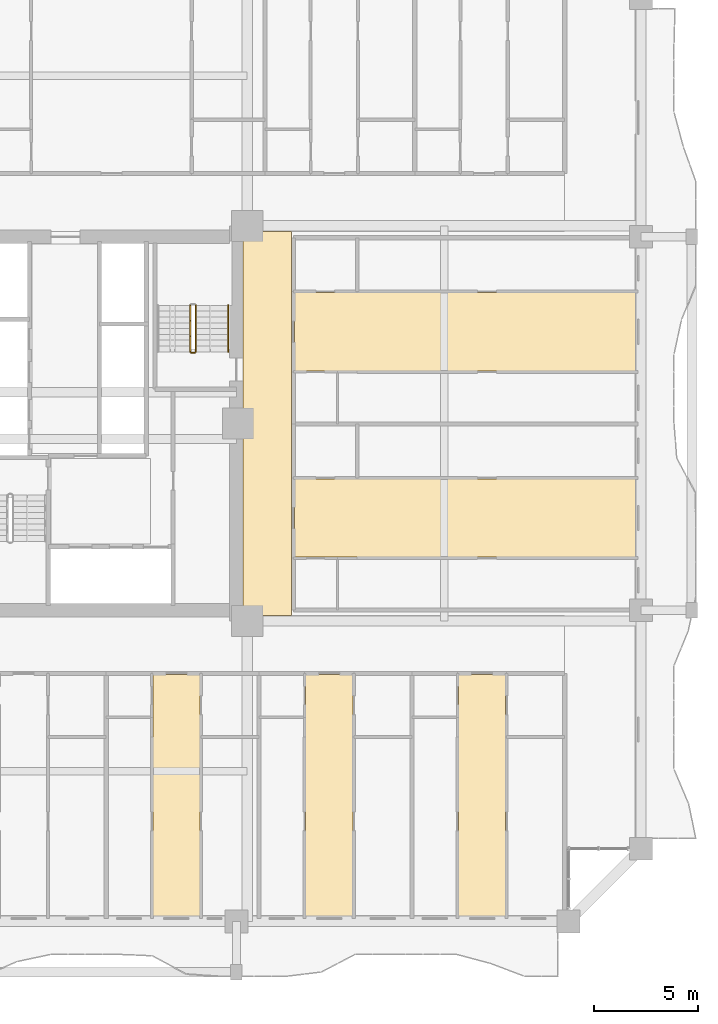
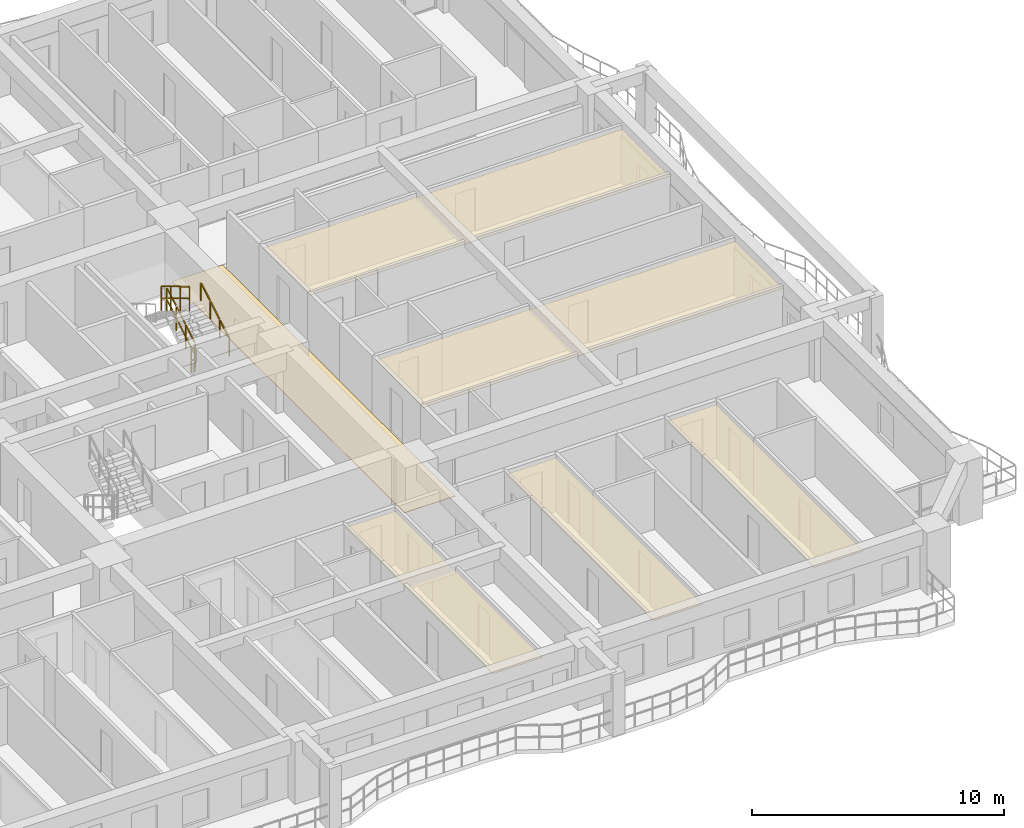
# One storey, part 26 of 28: 6 coverings, 4 railings.
"""IFC4 building model written with IfcOpenShell, lengths in metres."""

from ifc_helpers import new_model, si_unit, direction, frame, origin, origin_2d, place, context, subcontext, project, spatial, polyline, rectangle, outline, extrude, material, layer, layer_set, type_object, element, save


model = new_model("IFC4")

# Units and contexts
model_context = context("Model", 3, precision=1e-05, world=origin(), true_north=direction((0.0, 1.0)))
body_context = subcontext(model_context, "Body", "Model", "MODEL_VIEW")
ifc_project = project(units=[si_unit("LENGTHUNIT", "METRE"), si_unit("AREAUNIT", "SQUARE_METRE"), si_unit("VOLUMEUNIT", "CUBIC_METRE"), si_unit("PLANEANGLEUNIT", "RADIAN"), si_unit("MASSUNIT", "GRAM", prefix="KILO")], contexts=[model_context])

# Site, building, storey
site_placement = place(None, origin())
site = spatial("IfcSite", under=ifc_project, at=site_placement, CompositionType="ELEMENT")
building_placement = place(site_placement, origin())
building = spatial("IfcBuilding", under=site, at=building_placement, Name="Saelheon Loggia Tower", CompositionType="ELEMENT")
storey_placement = place(building_placement, frame((0.0, 0.0, 25.39990234375)))
storey = spatial("IfcBuildingStorey", under=building, at=storey_placement, Name="L07", CompositionType="ELEMENT", Elevation=25.39990234375)

# Coverings
ifc_material_1 = material(Name="Mineral-Fibre Acoustic Ceiling Board", Category="gypsum")
ifc_layer_1 = layer(ifc_material_1, 0.02490234375)
ifc_layer_set_1 = layer_set([ifc_layer_1], Name="Mineral-Fibre Acoustic Ceiling Board")
covering_type_1 = type_object("IfcCoveringType", Name="Cov_Ceiling_Acoustic", PredefinedType="CEILING", material=ifc_layer_set_1)
covering_1_placement = place(storey_placement, frame((0.0, 0.0, 2.53515625)))
element("IfcCovering", 1, at=covering_1_placement, inside=storey, type_object=covering_type_1, Name="L07 Acoustic Suspended Ceiling", PredefinedType="CEILING", context=body_context, shape_type="SweptSolid", body=[
    extrude(outline(polyline([(40.47314453125, 3.199951171875), (42.739990234375, 3.199951171875), (42.739990234375, 14.89990234375), (40.47314453125, 14.89990234375), (40.47314453125, 3.199951171875)])), origin(), (0.0, 0.0, 1.0), 0.02490234375),
])
covering_2_placement = place(storey_placement, frame((0.0, 0.0, 2.53515625)))
element("IfcCovering", 2, at=covering_2_placement, inside=storey, type_object=covering_type_1, Name="L07 Acoustic Suspended Ceiling", PredefinedType="CEILING", context=body_context, shape_type="SweptSolid", body=[
    extrude(outline(polyline([(47.8388671875, 3.199951171875), (50.10546875, 3.199951171875), (50.10546875, 14.89990234375), (47.8388671875, 14.89990234375), (47.8388671875, 3.199951171875)])), origin(), (0.0, 0.0, 1.0), 0.02490234375),
])
covering_3_placement = place(storey_placement, frame((0.0, 0.0, 2.53515625)))
element("IfcCovering", 3, at=covering_3_placement, inside=storey, type_object=covering_type_1, Name="L07 Acoustic Suspended Ceiling", PredefinedType="CEILING", context=body_context, shape_type="SweptSolid", body=[
    extrude(outline(polyline([(55.204345703125, 3.199951171875), (57.47119140625, 3.199951171875), (57.47119140625, 14.89990234375), (55.204345703125, 14.89990234375), (55.204345703125, 3.199951171875)])), origin(), (0.0, 0.0, 1.0), 0.02490234375),
])
covering_4_placement = place(storey_placement, frame((0.0, 0.0, 2.53515625)))
element("IfcCovering", 4, at=covering_4_placement, inside=storey, type_object=covering_type_1, Name="L07 Acoustic Suspended Ceiling", PredefinedType="CEILING", context=body_context, shape_type="SweptSolid", body=[
    extrude(outline(polyline([(47.300048828125, 20.56298828125), (63.800048828125, 20.56298828125), (63.800048828125, 24.324951171875), (47.300048828125, 24.324951171875), (47.300048828125, 20.56298828125)])), origin(), (0.0, 0.0, 1.0), 0.02490234375),
])
covering_5_placement = place(storey_placement, frame((0.0, 0.0, 2.53515625)))
element("IfcCovering", 5, at=covering_5_placement, inside=storey, type_object=covering_type_1, Name="L07 Acoustic Suspended Ceiling", PredefinedType="CEILING", context=body_context, shape_type="SweptSolid", body=[
    extrude(outline(polyline([(47.300048828125, 29.5380859375), (63.800048828125, 29.5380859375), (63.800048828125, 33.300048828125), (47.300048828125, 33.300048828125), (47.300048828125, 29.5380859375)])), origin(), (0.0, 0.0, 1.0), 0.02490234375),
])
ifc_material_2 = material(Name="Vitrified Porcelain Floor Tile", Category="ceramic")
ifc_layer_2 = layer(ifc_material_2, 0.02001953125)
ifc_layer_set_2 = layer_set([ifc_layer_2], Name="Vitrified Porcelain Floor Tile")
covering_type_2 = type_object("IfcCoveringType", Name="Cov_Floor_Porcelain", PredefinedType="FLOORING", material=ifc_layer_set_2)
covering_6_placement = place(storey_placement, origin())
element("IfcCovering", 6, at=covering_6_placement, inside=storey, type_object=covering_type_2, Name="L07 Corridor Porcelain Flooring", PredefinedType="FLOORING", context=body_context, shape_type="SweptSolid", body=[
    extrude(outline(polyline([(44.820068359375, 17.75), (47.14990234375, 17.75), (47.14990234375, 36.25), (44.820068359375, 36.25), (44.820068359375, 17.75)])), origin(), (0.0, 0.0, 1.0), 0.02001953125),
])

# Railings
ifc_material_3 = material(Name="Galvanised Steel S275 Stairwell Guardrail", Category="steel")
railing_type_1 = type_object("IfcRailingType", Name="Guard_StairWell_RL_STG", PredefinedType="GUARDRAIL", material=ifc_material_3)
railing_1_placement = place(storey_placement, frame((42.5400390625, 30.449951171875, 0.166748046875)))
element("IfcRailing", 7, at=railing_1_placement, inside=storey, type_object=railing_type_1, Name="L07 ST2 stair guard 1", PredefinedType="GUARDRAIL", context=body_context, shape_type="SweptSolid", body=[
    extrude(rectangle(XDim=0.048095703125, YDim=0.048095703125, at=origin_2d()), frame((0.0, 0.028564453125, 1.19287109375), z_axis=(0.0, 0.859305625298, 0.511462454469), x_axis=(-1.0, 0.0, 0.0)), (0.0, 0.0, 1.0), 0.802490234375),
    extrude(rectangle(XDim=0.048095703125, YDim=0.048095703125, at=origin_2d()), frame((0.0, 0.028564453125, 0.616943359375), z_axis=(0.0, 0.859305625298, 0.511462454469), x_axis=(-1.0, 0.0, 0.0)), (0.0, 0.0, 1.0), 0.802490234375),
    extrude(rectangle(XDim=0.048095703125, YDim=0.048095703125, at=origin_2d()), frame((0.0, 0.775146484375, 1.63720703125), z_axis=(0.0, 0.859305625298, 0.511462454469), x_axis=(-1.0, 0.0, 0.0)), (0.0, 0.0, 1.0), 0.802490234375),
    extrude(rectangle(XDim=0.048095703125, YDim=0.048095703125, at=origin_2d()), frame((0.0, 0.775146484375, 1.061279296875), z_axis=(0.0, 0.859305625298, 0.511462454469), x_axis=(-1.0, 0.0, 0.0)), (0.0, 0.0, 1.0), 0.802490234375),
    extrude(rectangle(XDim=0.048095703125, YDim=0.048095703125, at=origin_2d()), frame((0.0, 1.52197265625, 2.081787109375), z_axis=(0.0, 0.859305625298, 0.511462454469), x_axis=(-1.0, 0.0, 0.0)), (0.0, 0.0, 1.0), 0.802490234375),
    extrude(rectangle(XDim=0.048095703125, YDim=0.048095703125, at=origin_2d()), frame((0.0, 1.52197265625, 1.505859375), z_axis=(0.0, 0.859305625298, 0.511462454469), x_axis=(-1.0, 0.0, 0.0)), (0.0, 0.0, 1.0), 0.802490234375),
    extrude(rectangle(XDim=0.0419921875, YDim=0.0419921875, at=origin_2d()), origin(), (0.0, 0.0, 1.0), 1.14794921875),
    extrude(rectangle(XDim=0.0419921875, YDim=0.0419921875, at=origin_2d()), frame((0.0, 0.74658203125, 0.4443359375)), (0.0, 0.0, 1.0), 1.14794921875),
    extrude(rectangle(XDim=0.0419921875, YDim=0.0419921875, at=origin_2d()), frame((0.0, 1.493408203125, 0.888916015625)), (0.0, 0.0, 1.0), 1.14794921875),
    extrude(rectangle(XDim=0.0419921875, YDim=0.0419921875, at=origin_2d()), frame((0.0, 2.239990234375, 1.333251953125)), (0.0, 0.0, 1.0), 1.14794921875),
])
railing_2_placement = place(storey_placement, frame((42.280029296875, 32.68994140625, 1.666748046875)))
element("IfcRailing", 8, at=railing_2_placement, inside=storey, type_object=railing_type_1, Name="L07 ST2 stair guard 3", PredefinedType="GUARDRAIL", context=body_context, shape_type="SweptSolid", body=[
    extrude(rectangle(XDim=0.048095703125, YDim=0.048095703125, at=origin_2d()), frame((0.0, -0.028564453125, 1.19287109375), z_axis=(0.0, -0.859305625298, 0.511462454469), x_axis=(1.0, 0.0, 0.0)), (0.0, 0.0, 1.0), 0.802490234375),
    extrude(rectangle(XDim=0.048095703125, YDim=0.048095703125, at=origin_2d()), frame((0.0, -0.028564453125, 0.616943359375), z_axis=(0.0, -0.859305625298, 0.511462454469), x_axis=(1.0, 0.0, 0.0)), (0.0, 0.0, 1.0), 0.802490234375),
    extrude(rectangle(XDim=0.048095703125, YDim=0.048095703125, at=origin_2d()), frame((0.0, -0.775146484375, 1.63720703125), z_axis=(0.0, -0.859305625298, 0.511462454469), x_axis=(1.0, 0.0, 0.0)), (0.0, 0.0, 1.0), 0.802490234375),
    extrude(rectangle(XDim=0.048095703125, YDim=0.048095703125, at=origin_2d()), frame((0.0, -0.775146484375, 1.061279296875), z_axis=(0.0, -0.859305625298, 0.511462454469), x_axis=(1.0, 0.0, 0.0)), (0.0, 0.0, 1.0), 0.802490234375),
    extrude(rectangle(XDim=0.048095703125, YDim=0.048095703125, at=origin_2d()), frame((0.0, -1.52197265625, 2.081787109375), z_axis=(0.0, -0.859305625298, 0.511462454469), x_axis=(1.0, 0.0, 0.0)), (0.0, 0.0, 1.0), 0.802490234375),
    extrude(rectangle(XDim=0.048095703125, YDim=0.048095703125, at=origin_2d()), frame((0.0, -1.52197265625, 1.505859375), z_axis=(0.0, -0.859305625298, 0.511462454469), x_axis=(1.0, 0.0, 0.0)), (0.0, 0.0, 1.0), 0.802490234375),
    extrude(rectangle(XDim=0.0419921875, YDim=0.0419921875, at=origin_2d()), origin(), (0.0, 0.0, 1.0), 1.14794921875),
    extrude(rectangle(XDim=0.0419921875, YDim=0.0419921875, at=origin_2d()), frame((0.0, -0.74658203125, 0.4443359375)), (0.0, 0.0, 1.0), 1.14794921875),
    extrude(rectangle(XDim=0.0419921875, YDim=0.0419921875, at=origin_2d()), frame((0.0, -1.493408203125, 0.888916015625)), (0.0, 0.0, 1.0), 1.14794921875),
    extrude(rectangle(XDim=0.0419921875, YDim=0.0419921875, at=origin_2d()), frame((0.0, -2.239990234375, 1.333251953125)), (0.0, 0.0, 1.0), 1.14794921875),
])
railing_3_placement = place(storey_placement, frame((42.489990234375, 30.39990234375, 0.0)))
element("IfcRailing", 9, at=railing_3_placement, inside=storey, type_object=railing_type_1, Name="L07 ST2 stair guard 4", PredefinedType="GUARDRAIL", context=body_context, shape_type="SweptSolid", body=[
    extrude(rectangle(XDim=0.048095703125, YDim=0.048095703125, at=origin_2d()), frame((-0.033203125, 0.0, 1.17578125), z_axis=(-1.0, 0.0, 0.0), x_axis=(0.0, -1.0, 0.0)), (0.0, 0.0, 1.0), 0.093505859375),
    extrude(rectangle(XDim=0.048095703125, YDim=0.048095703125, at=origin_2d()), frame((-0.033203125, 0.0, 0.60009765625), z_axis=(-1.0, 0.0, 0.0), x_axis=(0.0, -1.0, 0.0)), (0.0, 0.0, 1.0), 0.093505859375),
    extrude(rectangle(XDim=0.0419921875, YDim=0.0419921875, at=origin_2d()), origin(), (0.0, 0.0, 1.0), 1.14794921875),
    extrude(rectangle(XDim=0.0419921875, YDim=0.0419921875, at=origin_2d()), frame((-0.159912109375, 0.0, 0.0)), (0.0, 0.0, 1.0), 1.14794921875),
])
ifc_material_4 = material(Name="Stainless Steel 304 Tubular Handrail", Category="steel")
railing_type_2 = type_object("IfcRailingType", Name="Handrail_Stair_RL_HR1", PredefinedType="HANDRAIL", material=ifc_material_4)
railing_4_placement = place(storey_placement, frame((44.10009765625, 30.449951171875, 0.166748046875)))
element("IfcRailing", 10, at=railing_4_placement, inside=storey, type_object=railing_type_2, Name="L07 ST2 stair handrail 1", PredefinedType="HANDRAIL", context=body_context, shape_type="SweptSolid", body=[
    extrude(rectangle(XDim=0.048095703125, YDim=0.048095703125, at=origin_2d()), frame((0.0, 0.028564453125, 0.892822265625), z_axis=(0.0, 0.859305625298, 0.511462454469), x_axis=(-1.0, 0.0, 0.0)), (0.0, 0.0, 1.0), 0.802490234375),
    extrude(rectangle(XDim=0.048095703125, YDim=0.048095703125, at=origin_2d()), frame((0.0, 0.775146484375, 1.337158203125), z_axis=(0.0, 0.859305625298, 0.511462454469), x_axis=(-1.0, 0.0, 0.0)), (0.0, 0.0, 1.0), 0.802490234375),
    extrude(rectangle(XDim=0.048095703125, YDim=0.048095703125, at=origin_2d()), frame((0.0, 1.52197265625, 1.78173828125), z_axis=(0.0, 0.859305625298, 0.511462454469), x_axis=(-1.0, 0.0, 0.0)), (0.0, 0.0, 1.0), 0.802490234375),
    extrude(rectangle(XDim=0.0419921875, YDim=0.0419921875, at=origin_2d()), origin(), (0.0, 0.0, 1.0), 0.847900390625),
    extrude(rectangle(XDim=0.0419921875, YDim=0.0419921875, at=origin_2d()), frame((0.0, 0.74658203125, 0.4443359375)), (0.0, 0.0, 1.0), 0.847900390625),
    extrude(rectangle(XDim=0.0419921875, YDim=0.0419921875, at=origin_2d()), frame((0.0, 1.493408203125, 0.888916015625)), (0.0, 0.0, 1.0), 0.847900390625),
    extrude(rectangle(XDim=0.0419921875, YDim=0.0419921875, at=origin_2d()), frame((0.0, 2.239990234375, 1.333251953125)), (0.0, 0.0, 1.0), 0.847900390625),
])

save(model, "model.ifc")
